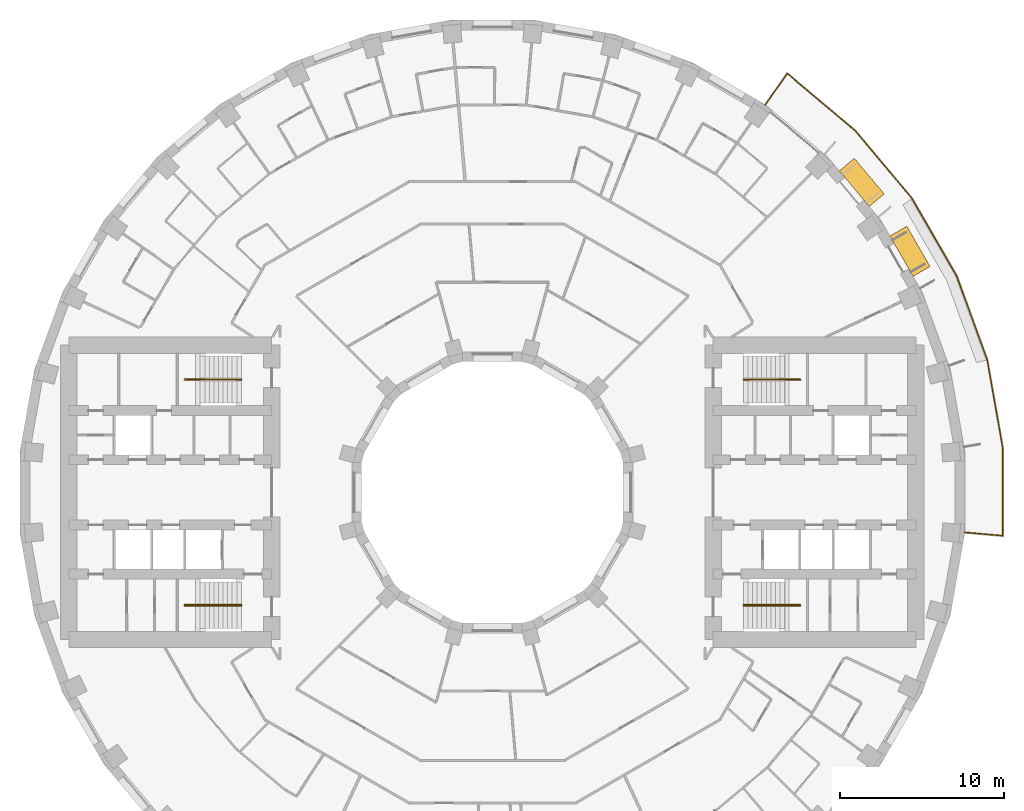
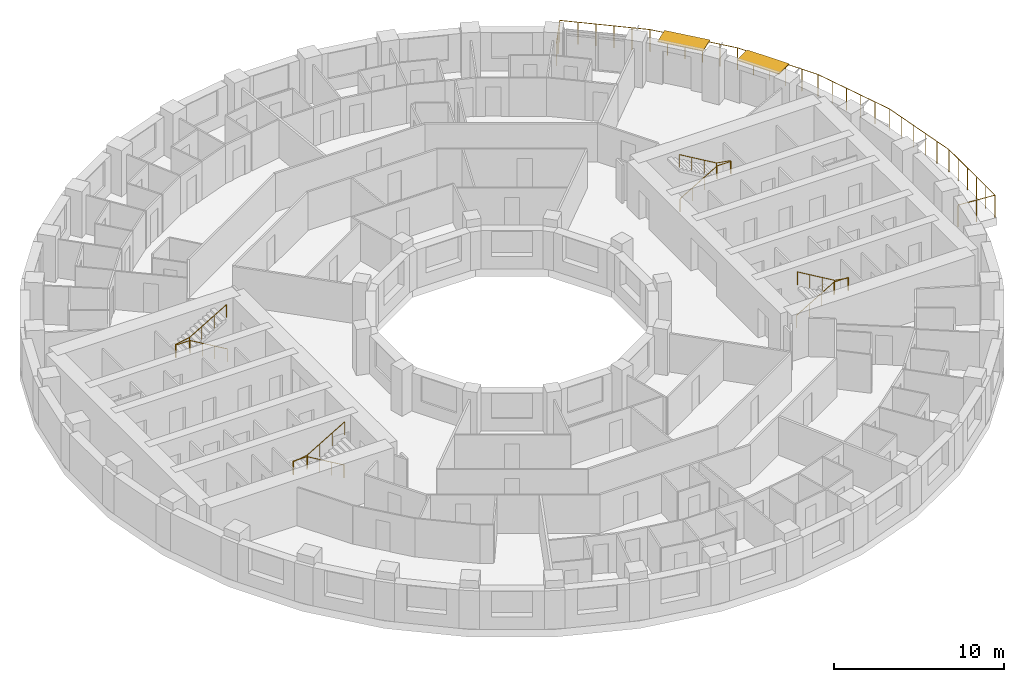
# One storey, part 15 of 15: 5 railings, 2 shading devices.
"""IFC4 building model written with IfcOpenShell, lengths in metres."""

from ifc_helpers import new_model, si_unit, direction, frame, origin, origin_2d, place, context, subcontext, project, spatial, rectangle, circle, extrude, material, layer, layer_set, type_object, element, save


model = new_model("IFC4")

# Units and contexts
model_context = context("Model", 3, precision=1e-05, world=origin(), true_north=direction((0.0, 1.0)))
body_context = subcontext(model_context, "Body", "Model", "MODEL_VIEW")
ifc_project = project(units=[si_unit("LENGTHUNIT", "METRE"), si_unit("AREAUNIT", "SQUARE_METRE"), si_unit("VOLUMEUNIT", "CUBIC_METRE"), si_unit("PLANEANGLEUNIT", "RADIAN"), si_unit("MASSUNIT", "GRAM", prefix="KILO")], contexts=[model_context])

# Site, building, storey
site_placement = place(None, origin())
site = spatial("IfcSite", under=ifc_project, at=site_placement, CompositionType="ELEMENT")
building_placement = place(site_placement, origin())
building = spatial("IfcBuilding", under=site, at=building_placement, Name="Saqina Gate Tower", CompositionType="ELEMENT")
storey_placement = place(building_placement, frame((0.0, 0.0, 56.0)))
storey = spatial("IfcBuildingStorey", under=building, at=storey_placement, Name="L15", CompositionType="ELEMENT", Elevation=56.0)

# Shading devices
ifc_material_1 = material(Name="Aluminium and fabric awning", Category="aluminium")
ifc_layer = layer(ifc_material_1, 0.050048828125)
ifc_layer_set = layer_set([ifc_layer], Name="AW-TERRACE")
shading_device_type = type_object("IfcShadingDeviceType", Name="AW-TERRACE", PredefinedType="AWNING", material=ifc_layer_set)
for number, where, z_axis, x_axis, name in (
    (1, (25.538818359375, 14.744873046875, 2.52490234375), (0.0, 0.0, 1.0), (-0.5, 0.866025403784, 0.0), "Terrace awning L15 facet 3"),
    (2, (22.59033203125, 18.95556640625, 2.52490234375), (0.0, 0.0, 1.0), (-0.642787609687, 0.766044443119, 0.0), "Terrace awning L15 facet 4"),
):
    element("IfcShadingDevice", number, at=place(storey_placement, frame(where, z_axis=z_axis, x_axis=x_axis)), inside=storey, type_object=shading_device_type, Name=name, PredefinedType="AWNING", context=body_context, shape_type="SweptSolid", body=[
        extrude(rectangle(XDim=2.845703125, YDim=1.199951171875, at=origin_2d()), origin(), (0.0, 0.0, 1.0), 0.050048828125),
    ])

# Railings
ifc_material_2 = material(Name="Stainless steel", Category="steel")
railing_type_1 = type_object("IfcRailingType", Name="RL-TERRACE", PredefinedType="GUARDRAIL", material=ifc_material_2)
railing_1_placement = place(storey_placement, frame((28.8369140625, -2.442626953125, 0.0)))
element("IfcRailing", 3, at=railing_1_placement, inside=storey, type_object=railing_type_1, Name="Terrace guard L15", PredefinedType="GUARDRAIL", context=body_context, shape_type="SweptSolid", body=[
    extrude(circle(Radius=0.02392578125, at=origin_2d()), frame((0.0, 0.0, 1.576171875), z_axis=(0.996192497087, -0.087180896688, 0.0), x_axis=(0.087180896688, 0.996192497087, 0.0)), (0.0, 0.0, 1.0), 2.388671875),
    extrude(circle(Radius=0.02392578125, at=origin_2d()), frame((2.379638671875, -0.208251953125, 1.576171875), z_axis=(-0.001270301126, 0.999999193167, 0.0), x_axis=(-0.999999193167, -0.001270301126, 0.0)), (0.0, 0.0, 1.0), 5.38134765625),
    extrude(circle(Radius=0.02392578125, at=origin_2d()), frame((2.372802734375, 5.173095703125, 1.576171875), z_axis=(-0.17364250929, 0.984808752483, 0.0), x_axis=(-0.984808752483, -0.17364250929, 0.0)), (0.0, 0.0, 1.0), 5.4609375),
    extrude(circle(Radius=0.02392578125, at=origin_2d()), frame((1.424560546875, 10.551025390625, 1.576171875), z_axis=(-0.342048157644, 0.939682423935, 0.0), x_axis=(-0.939682423935, -0.342048157644, 0.0)), (0.0, 0.0, 1.0), 5.4609375),
    extrude(circle(Radius=0.02392578125, at=origin_2d()), frame((-0.443359375, 15.6826171875, 1.576171875), z_axis=(-0.499985602051, 0.866033716285, 0.0), x_axis=(-0.866033716285, -0.499985602051, 0.0)), (0.0, 0.0, 1.0), 5.461181640625),
    extrude(circle(Radius=0.02392578125, at=origin_2d()), frame((-3.173828125, 20.412109375, 1.576171875), z_axis=(-0.642788339532, 0.766043830705, 0.0), x_axis=(-0.766043830705, -0.642788339532, 0.0)), (0.0, 0.0, 1.0), 5.4609375),
    extrude(circle(Radius=0.02392578125, at=origin_2d()), frame((-6.68408203125, 24.595458984375, 1.576171875), z_axis=(-0.76521934714, 0.643769641069, 0.0), x_axis=(-0.643769641069, -0.76521934714, 0.0)), (0.0, 0.0, 1.0), 5.38134765625),
    extrude(circle(Radius=0.02392578125, at=origin_2d()), frame((-10.802001953125, 28.059814453125, 1.576171875), z_axis=(-0.573565229124, -0.819159891559, 0.0), x_axis=(0.819159891559, -0.573565229124, 0.0)), (0.0, 0.0, 1.0), 2.388671875),
    extrude(circle(Radius=0.02099609375, at=origin_2d()), origin(), (0.0, 0.0, 1.0), 1.552001953125),
    extrude(circle(Radius=0.02099609375, at=origin_2d()), frame((1.18994140625, -0.10400390625, 0.0)), (0.0, 0.0, 1.0), 1.552001953125),
    extrude(circle(Radius=0.02099609375, at=origin_2d()), frame((2.379638671875, -0.208251953125, 0.0)), (0.0, 0.0, 1.0), 1.552001953125),
    extrude(circle(Radius=0.02099609375, at=origin_2d()), frame((2.378173828125, 0.867919921875, 0.0)), (0.0, 0.0, 1.0), 1.552001953125),
    extrude(circle(Radius=0.02099609375, at=origin_2d()), frame((2.376953125, 1.9443359375, 0.0)), (0.0, 0.0, 1.0), 1.552001953125),
    extrude(circle(Radius=0.02099609375, at=origin_2d()), frame((2.37548828125, 3.0205078125, 0.0)), (0.0, 0.0, 1.0), 1.552001953125),
    extrude(circle(Radius=0.02099609375, at=origin_2d()), frame((2.374267578125, 4.096923828125, 0.0)), (0.0, 0.0, 1.0), 1.552001953125),
    extrude(circle(Radius=0.02099609375, at=origin_2d()), frame((2.372802734375, 5.173095703125, 0.0)), (0.0, 0.0, 1.0), 1.552001953125),
    extrude(circle(Radius=0.02099609375, at=origin_2d()), frame((2.18310546875, 6.248779296875, 0.0)), (0.0, 0.0, 1.0), 1.552001953125),
    extrude(circle(Radius=0.02099609375, at=origin_2d()), frame((1.993408203125, 7.32421875, 0.0)), (0.0, 0.0, 1.0), 1.552001953125),
    extrude(circle(Radius=0.02099609375, at=origin_2d()), frame((1.803955078125, 8.39990234375, 0.0)), (0.0, 0.0, 1.0), 1.552001953125),
    extrude(circle(Radius=0.02099609375, at=origin_2d()), frame((1.6142578125, 9.475341796875, 0.0)), (0.0, 0.0, 1.0), 1.552001953125),
    extrude(circle(Radius=0.02099609375, at=origin_2d()), frame((1.424560546875, 10.551025390625, 0.0)), (0.0, 0.0, 1.0), 1.552001953125),
    extrude(circle(Radius=0.02099609375, at=origin_2d()), frame((1.051025390625, 11.577392578125, 0.0)), (0.0, 0.0, 1.0), 1.552001953125),
    extrude(circle(Radius=0.02099609375, at=origin_2d()), frame((0.677490234375, 12.603759765625, 0.0)), (0.0, 0.0, 1.0), 1.552001953125),
    extrude(circle(Radius=0.02099609375, at=origin_2d()), frame((0.3037109375, 13.6298828125, 0.0)), (0.0, 0.0, 1.0), 1.552001953125),
    extrude(circle(Radius=0.02099609375, at=origin_2d()), frame((-0.06982421875, 14.65625, 0.0)), (0.0, 0.0, 1.0), 1.552001953125),
    extrude(circle(Radius=0.02099609375, at=origin_2d()), frame((-0.443359375, 15.6826171875, 0.0)), (0.0, 0.0, 1.0), 1.552001953125),
    extrude(circle(Radius=0.02099609375, at=origin_2d()), frame((-0.989501953125, 16.62841796875, 0.0)), (0.0, 0.0, 1.0), 1.552001953125),
    extrude(circle(Radius=0.02099609375, at=origin_2d()), frame((-1.53564453125, 17.574462890625, 0.0)), (0.0, 0.0, 1.0), 1.552001953125),
    extrude(circle(Radius=0.02099609375, at=origin_2d()), frame((-2.08154296875, 18.520263671875, 0.0)), (0.0, 0.0, 1.0), 1.552001953125),
    extrude(circle(Radius=0.02099609375, at=origin_2d()), frame((-2.627685546875, 19.46630859375, 0.0)), (0.0, 0.0, 1.0), 1.552001953125),
    extrude(circle(Radius=0.02099609375, at=origin_2d()), frame((-3.173828125, 20.412109375, 0.0)), (0.0, 0.0, 1.0), 1.552001953125),
    extrude(circle(Radius=0.02099609375, at=origin_2d()), frame((-3.8759765625, 21.248779296875, 0.0)), (0.0, 0.0, 1.0), 1.552001953125),
    extrude(circle(Radius=0.02099609375, at=origin_2d()), frame((-4.577880859375, 22.08544921875, 0.0)), (0.0, 0.0, 1.0), 1.552001953125),
    extrude(circle(Radius=0.02099609375, at=origin_2d()), frame((-5.280029296875, 22.922119140625, 0.0)), (0.0, 0.0, 1.0), 1.552001953125),
    extrude(circle(Radius=0.02099609375, at=origin_2d()), frame((-5.98193359375, 23.7587890625, 0.0)), (0.0, 0.0, 1.0), 1.552001953125),
    extrude(circle(Radius=0.02099609375, at=origin_2d()), frame((-6.68408203125, 24.595458984375, 0.0)), (0.0, 0.0, 1.0), 1.552001953125),
    extrude(circle(Radius=0.02099609375, at=origin_2d()), frame((-7.507568359375, 25.288330078125, 0.0)), (0.0, 0.0, 1.0), 1.552001953125),
    extrude(circle(Radius=0.02099609375, at=origin_2d()), frame((-8.331298828125, 25.981201171875, 0.0)), (0.0, 0.0, 1.0), 1.552001953125),
    extrude(circle(Radius=0.02099609375, at=origin_2d()), frame((-9.15478515625, 26.674072265625, 0.0)), (0.0, 0.0, 1.0), 1.552001953125),
    extrude(circle(Radius=0.02099609375, at=origin_2d()), frame((-9.978515625, 27.366943359375, 0.0)), (0.0, 0.0, 1.0), 1.552001953125),
    extrude(circle(Radius=0.02099609375, at=origin_2d()), frame((-10.802001953125, 28.059814453125, 0.0)), (0.0, 0.0, 1.0), 1.552001953125),
    extrude(circle(Radius=0.02099609375, at=origin_2d()), frame((-11.487060546875, 27.08154296875, 0.0)), (0.0, 0.0, 1.0), 1.552001953125),
    extrude(circle(Radius=0.02099609375, at=origin_2d()), frame((-12.172119140625, 26.10302734375, 0.0)), (0.0, 0.0, 1.0), 1.552001953125),
])
ifc_material_3 = material(Name="Stainless steel", Category="steel")
railing_type_2 = type_object("IfcRailingType", Name="STAIR HANDRAIL", PredefinedType="HANDRAIL", material=ifc_material_3)
railing_2_placement = place(storey_placement, frame((15.35009765625, 6.86669921875, 0.1650390625)))
element("IfcRailing", 4, at=railing_2_placement, inside=storey, type_object=railing_type_2, Name="EXIT STAIR 1 HANDRAIL", PredefinedType="HANDRAIL", context=body_context, shape_type="SweptSolid", body=[
    extrude(circle(Radius=0.02392578125, at=origin_2d()), frame((0.0, 0.0, 0.92578125), z_axis=(0.861560626758, 0.0, 0.507654692109), x_axis=(0.0, 1.0, 0.0)), (0.0, 0.0, 1.0), 2.925048828125),
    extrude(circle(Radius=0.02392578125, at=origin_2d()), frame((2.52001953125, 0.0, 2.41064453125), z_axis=(1.0, 0.0, 0.0), x_axis=(0.0, 1.0, 0.0)), (0.0, 0.0, 1.0), 0.949951171875),
    extrude(circle(Radius=0.02392578125, at=origin_2d()), frame((3.469970703125, 0.0, 2.41064453125), z_axis=(0.0, 1.0, 0.0), x_axis=(-1.0, 0.0, 0.0)), (0.0, 0.0, 1.0), 0.066650390625),
    extrude(circle(Radius=0.02392578125, at=origin_2d()), frame((3.469970703125, 0.066650390625, 2.41064453125), z_axis=(-0.985241474778, 0.0, 0.171170197109), x_axis=(0.0, -1.0, 0.0)), (0.0, 0.0, 1.0), 0.964111328125),
    extrude(circle(Radius=0.02392578125, at=origin_2d()), frame((2.52001953125, 0.066650390625, 2.57568359375), z_axis=(-0.86152411907, 0.0, 0.507716645641), x_axis=(0.0, -1.0, 0.0)), (0.0, 0.0, 1.0), 2.925048828125),
    extrude(circle(Radius=0.02099609375, at=origin_2d()), origin(), (0.0, 0.0, 1.0), 0.90185546875),
    extrude(circle(Radius=0.02099609375, at=origin_2d()), frame((0.840087890625, 0.0, 0.494873046875)), (0.0, 0.0, 1.0), 0.90185546875),
    extrude(circle(Radius=0.02099609375, at=origin_2d()), frame((1.679931640625, 0.0, 0.989990234375)), (0.0, 0.0, 1.0), 0.90185546875),
    extrude(circle(Radius=0.02099609375, at=origin_2d()), frame((2.52001953125, 0.0, 1.48486328125)), (0.0, 0.0, 1.0), 0.90185546875),
    extrude(circle(Radius=0.02099609375, at=origin_2d()), frame((3.469970703125, 0.0, 1.48486328125)), (0.0, 0.0, 1.0), 0.90185546875),
    extrude(circle(Radius=0.02099609375, at=origin_2d()), frame((3.469970703125, 0.066650390625, 1.48486328125)), (0.0, 0.0, 1.0), 0.90185546875),
    extrude(circle(Radius=0.02099609375, at=origin_2d()), frame((2.52001953125, 0.066650390625, 1.64990234375)), (0.0, 0.0, 1.0), 0.90185546875),
    extrude(circle(Radius=0.02099609375, at=origin_2d()), frame((1.679931640625, 0.066650390625, 2.14501953125)), (0.0, 0.0, 1.0), 0.90185546875),
    extrude(circle(Radius=0.02099609375, at=origin_2d()), frame((0.840087890625, 0.066650390625, 2.639892578125)), (0.0, 0.0, 1.0), 0.90185546875),
    extrude(circle(Radius=0.02099609375, at=origin_2d()), frame((0.0, 0.066650390625, 3.135009765625)), (0.0, 0.0, 1.0), 0.90185546875),
])
railing_3_placement = place(storey_placement, frame((15.35009765625, -6.86669921875, 0.1650390625)))
element("IfcRailing", 5, at=railing_3_placement, inside=storey, type_object=railing_type_2, Name="EXIT STAIR 2 HANDRAIL", PredefinedType="HANDRAIL", context=body_context, shape_type="SweptSolid", body=[
    extrude(circle(Radius=0.02392578125, at=origin_2d()), frame((0.0, 0.0, 0.92578125), z_axis=(0.861560626758, 0.0, 0.507654692109), x_axis=(0.0, 1.0, 0.0)), (0.0, 0.0, 1.0), 2.925048828125),
    extrude(circle(Radius=0.02392578125, at=origin_2d()), frame((2.52001953125, 0.0, 2.41064453125), z_axis=(1.0, 0.0, 0.0), x_axis=(0.0, 1.0, 0.0)), (0.0, 0.0, 1.0), 0.949951171875),
    extrude(circle(Radius=0.02392578125, at=origin_2d()), frame((3.469970703125, 0.0, 2.41064453125), z_axis=(0.0, -1.0, 0.0), x_axis=(1.0, 0.0, 0.0)), (0.0, 0.0, 1.0), 0.066650390625),
    extrude(circle(Radius=0.02392578125, at=origin_2d()), frame((3.469970703125, -0.066650390625, 2.41064453125), z_axis=(-0.985241474778, 0.0, 0.171170197109), x_axis=(0.0, -1.0, 0.0)), (0.0, 0.0, 1.0), 0.964111328125),
    extrude(circle(Radius=0.02392578125, at=origin_2d()), frame((2.52001953125, -0.066650390625, 2.57568359375), z_axis=(-0.86152411907, 0.0, 0.507716645641), x_axis=(0.0, -1.0, 0.0)), (0.0, 0.0, 1.0), 2.925048828125),
    extrude(circle(Radius=0.02099609375, at=origin_2d()), origin(), (0.0, 0.0, 1.0), 0.90185546875),
    extrude(circle(Radius=0.02099609375, at=origin_2d()), frame((0.840087890625, 0.0, 0.494873046875)), (0.0, 0.0, 1.0), 0.90185546875),
    extrude(circle(Radius=0.02099609375, at=origin_2d()), frame((1.679931640625, 0.0, 0.989990234375)), (0.0, 0.0, 1.0), 0.90185546875),
    extrude(circle(Radius=0.02099609375, at=origin_2d()), frame((2.52001953125, 0.0, 1.48486328125)), (0.0, 0.0, 1.0), 0.90185546875),
    extrude(circle(Radius=0.02099609375, at=origin_2d()), frame((3.469970703125, 0.0, 1.48486328125)), (0.0, 0.0, 1.0), 0.90185546875),
    extrude(circle(Radius=0.02099609375, at=origin_2d()), frame((3.469970703125, -0.066650390625, 1.48486328125)), (0.0, 0.0, 1.0), 0.90185546875),
    extrude(circle(Radius=0.02099609375, at=origin_2d()), frame((2.52001953125, -0.066650390625, 1.64990234375)), (0.0, 0.0, 1.0), 0.90185546875),
    extrude(circle(Radius=0.02099609375, at=origin_2d()), frame((1.679931640625, -0.066650390625, 2.14501953125)), (0.0, 0.0, 1.0), 0.90185546875),
    extrude(circle(Radius=0.02099609375, at=origin_2d()), frame((0.840087890625, -0.066650390625, 2.639892578125)), (0.0, 0.0, 1.0), 0.90185546875),
    extrude(circle(Radius=0.02099609375, at=origin_2d()), frame((0.0, -0.066650390625, 3.135009765625)), (0.0, 0.0, 1.0), 0.90185546875),
])
railing_4_placement = place(storey_placement, frame((-15.35009765625, 6.86669921875, 0.1650390625)))
element("IfcRailing", 6, at=railing_4_placement, inside=storey, type_object=railing_type_2, Name="EXIT STAIR 3 HANDRAIL", PredefinedType="HANDRAIL", context=body_context, shape_type="SweptSolid", body=[
    extrude(circle(Radius=0.02392578125, at=origin_2d()), frame((0.0, 0.0, 0.92578125), z_axis=(-0.861560626758, 0.0, 0.507654692109), x_axis=(0.0, -1.0, 0.0)), (0.0, 0.0, 1.0), 2.925048828125),
    extrude(circle(Radius=0.02392578125, at=origin_2d()), frame((-2.52001953125, 0.0, 2.41064453125), z_axis=(-1.0, 0.0, 0.0), x_axis=(0.0, -1.0, 0.0)), (0.0, 0.0, 1.0), 0.949951171875),
    extrude(circle(Radius=0.02392578125, at=origin_2d()), frame((-3.469970703125, 0.0, 2.41064453125), z_axis=(0.0, 1.0, 0.0), x_axis=(-1.0, 0.0, 0.0)), (0.0, 0.0, 1.0), 0.066650390625),
    extrude(circle(Radius=0.02392578125, at=origin_2d()), frame((-3.469970703125, 0.066650390625, 2.41064453125), z_axis=(0.985241474778, 0.0, 0.171170197109), x_axis=(0.0, 1.0, 0.0)), (0.0, 0.0, 1.0), 0.964111328125),
    extrude(circle(Radius=0.02392578125, at=origin_2d()), frame((-2.52001953125, 0.066650390625, 2.57568359375), z_axis=(0.86152411907, 0.0, 0.507716645641), x_axis=(0.0, 1.0, 0.0)), (0.0, 0.0, 1.0), 2.925048828125),
    extrude(circle(Radius=0.02099609375, at=origin_2d()), origin(), (0.0, 0.0, 1.0), 0.90185546875),
    extrude(circle(Radius=0.02099609375, at=origin_2d()), frame((-0.840087890625, 0.0, 0.494873046875)), (0.0, 0.0, 1.0), 0.90185546875),
    extrude(circle(Radius=0.02099609375, at=origin_2d()), frame((-1.679931640625, 0.0, 0.989990234375)), (0.0, 0.0, 1.0), 0.90185546875),
    extrude(circle(Radius=0.02099609375, at=origin_2d()), frame((-2.52001953125, 0.0, 1.48486328125)), (0.0, 0.0, 1.0), 0.90185546875),
    extrude(circle(Radius=0.02099609375, at=origin_2d()), frame((-3.469970703125, 0.0, 1.48486328125)), (0.0, 0.0, 1.0), 0.90185546875),
    extrude(circle(Radius=0.02099609375, at=origin_2d()), frame((-3.469970703125, 0.066650390625, 1.48486328125)), (0.0, 0.0, 1.0), 0.90185546875),
    extrude(circle(Radius=0.02099609375, at=origin_2d()), frame((-2.52001953125, 0.066650390625, 1.64990234375)), (0.0, 0.0, 1.0), 0.90185546875),
    extrude(circle(Radius=0.02099609375, at=origin_2d()), frame((-1.679931640625, 0.066650390625, 2.14501953125)), (0.0, 0.0, 1.0), 0.90185546875),
    extrude(circle(Radius=0.02099609375, at=origin_2d()), frame((-0.840087890625, 0.066650390625, 2.639892578125)), (0.0, 0.0, 1.0), 0.90185546875),
    extrude(circle(Radius=0.02099609375, at=origin_2d()), frame((0.0, 0.066650390625, 3.135009765625)), (0.0, 0.0, 1.0), 0.90185546875),
])
railing_5_placement = place(storey_placement, frame((-15.35009765625, -6.86669921875, 0.1650390625)))
element("IfcRailing", 7, at=railing_5_placement, inside=storey, type_object=railing_type_2, Name="EXIT STAIR 4 HANDRAIL", PredefinedType="HANDRAIL", context=body_context, shape_type="SweptSolid", body=[
    extrude(circle(Radius=0.02392578125, at=origin_2d()), frame((0.0, 0.0, 0.92578125), z_axis=(-0.861560626758, 0.0, 0.507654692109), x_axis=(0.0, -1.0, 0.0)), (0.0, 0.0, 1.0), 2.925048828125),
    extrude(circle(Radius=0.02392578125, at=origin_2d()), frame((-2.52001953125, 0.0, 2.41064453125), z_axis=(-1.0, 0.0, 0.0), x_axis=(0.0, -1.0, 0.0)), (0.0, 0.0, 1.0), 0.949951171875),
    extrude(circle(Radius=0.02392578125, at=origin_2d()), frame((-3.469970703125, 0.0, 2.41064453125), z_axis=(0.0, -1.0, 0.0), x_axis=(1.0, 0.0, 0.0)), (0.0, 0.0, 1.0), 0.066650390625),
    extrude(circle(Radius=0.02392578125, at=origin_2d()), frame((-3.469970703125, -0.066650390625, 2.41064453125), z_axis=(0.985241474778, 0.0, 0.171170197109), x_axis=(0.0, 1.0, 0.0)), (0.0, 0.0, 1.0), 0.964111328125),
    extrude(circle(Radius=0.02392578125, at=origin_2d()), frame((-2.52001953125, -0.066650390625, 2.57568359375), z_axis=(0.86152411907, 0.0, 0.507716645641), x_axis=(0.0, 1.0, 0.0)), (0.0, 0.0, 1.0), 2.925048828125),
    extrude(circle(Radius=0.02099609375, at=origin_2d()), origin(), (0.0, 0.0, 1.0), 0.90185546875),
    extrude(circle(Radius=0.02099609375, at=origin_2d()), frame((-0.840087890625, 0.0, 0.494873046875)), (0.0, 0.0, 1.0), 0.90185546875),
    extrude(circle(Radius=0.02099609375, at=origin_2d()), frame((-1.679931640625, 0.0, 0.989990234375)), (0.0, 0.0, 1.0), 0.90185546875),
    extrude(circle(Radius=0.02099609375, at=origin_2d()), frame((-2.52001953125, 0.0, 1.48486328125)), (0.0, 0.0, 1.0), 0.90185546875),
    extrude(circle(Radius=0.02099609375, at=origin_2d()), frame((-3.469970703125, 0.0, 1.48486328125)), (0.0, 0.0, 1.0), 0.90185546875),
    extrude(circle(Radius=0.02099609375, at=origin_2d()), frame((-3.469970703125, -0.066650390625, 1.48486328125)), (0.0, 0.0, 1.0), 0.90185546875),
    extrude(circle(Radius=0.02099609375, at=origin_2d()), frame((-2.52001953125, -0.066650390625, 1.64990234375)), (0.0, 0.0, 1.0), 0.90185546875),
    extrude(circle(Radius=0.02099609375, at=origin_2d()), frame((-1.679931640625, -0.066650390625, 2.14501953125)), (0.0, 0.0, 1.0), 0.90185546875),
    extrude(circle(Radius=0.02099609375, at=origin_2d()), frame((-0.840087890625, -0.066650390625, 2.639892578125)), (0.0, 0.0, 1.0), 0.90185546875),
    extrude(circle(Radius=0.02099609375, at=origin_2d()), frame((0.0, -0.066650390625, 3.135009765625)), (0.0, 0.0, 1.0), 0.90185546875),
])

save(model, "model.ifc")
